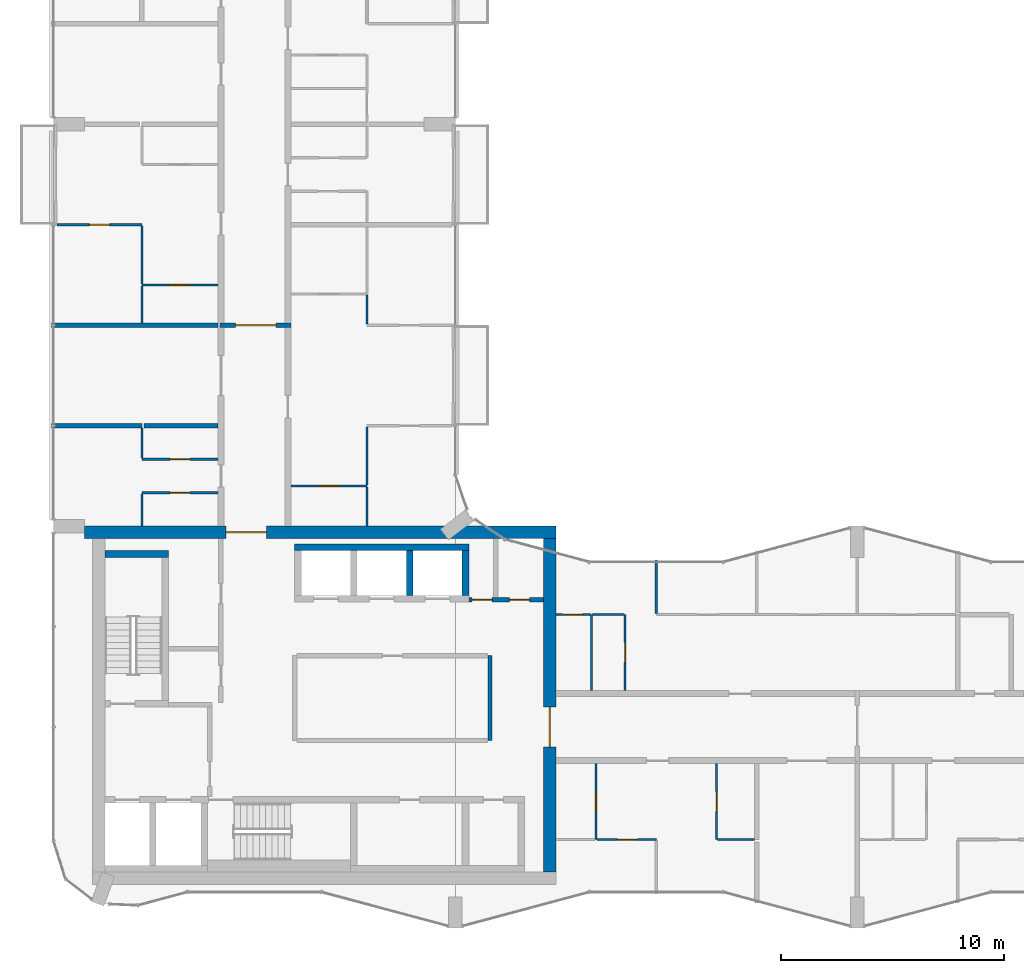
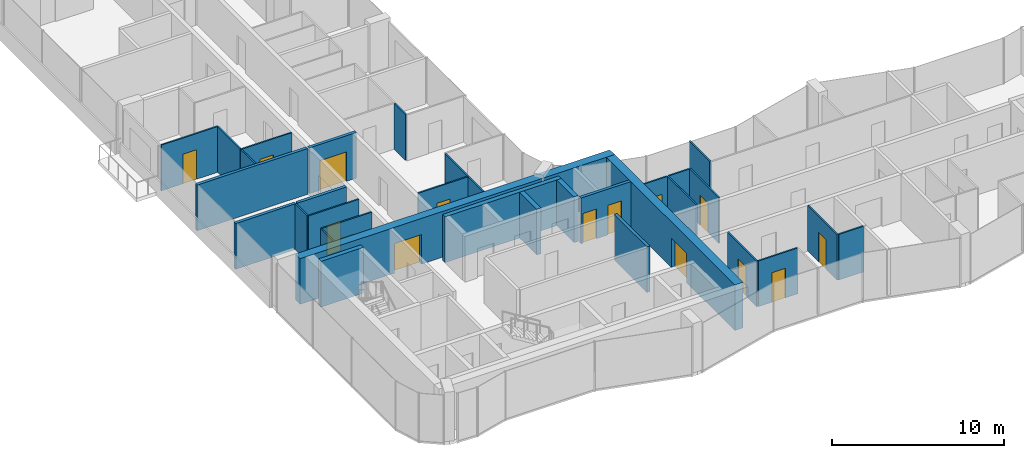
# One storey, part 10 of 15: 33 walls, 15 doors, 15 openings.
"""IFC4 building model written with IfcOpenShell, lengths in metres."""

from ifc_helpers import new_model, si_unit, direction, frame, frame_2d, origin, place, context, subcontext, project, spatial, rectangle, extrude, material, layer, layer_set, type_object, element, fill, save


model = new_model("IFC4")

# Units and contexts
model_context = context("Model", 3, precision=1e-05, world=origin(), true_north=direction((0.0, 1.0)))
body_context = subcontext(model_context, "Body", "Model", "MODEL_VIEW")
ifc_project = project(units=[si_unit("LENGTHUNIT", "METRE"), si_unit("AREAUNIT", "SQUARE_METRE"), si_unit("VOLUMEUNIT", "CUBIC_METRE"), si_unit("PLANEANGLEUNIT", "RADIAN"), si_unit("MASSUNIT", "GRAM", prefix="KILO")], contexts=[model_context])

# Site, building, storey
site_placement = place(None, origin())
site = spatial("IfcSite", under=ifc_project, at=site_placement, CompositionType="ELEMENT")
building_placement = place(site_placement, origin())
building = spatial("IfcBuilding", under=site, at=building_placement, Name="Plateau Cross Towers", CompositionType="ELEMENT")
storey_placement = place(building_placement, frame((0.0, 0.0, 208.39990234375)))
storey = spatial("IfcBuildingStorey", under=building, at=storey_placement, Name="L54", CompositionType="ELEMENT", Elevation=208.39990234375)

# Wall
ifc_material_1 = material(Name="Concrete block, plastered both sides", Category="concrete")
ifc_layer_1 = layer(ifc_material_1, 0.199951171875)
ifc_layer_set_1 = layer_set([ifc_layer_1], Name="Concrete block, plastered both sides")
wall_type_1 = type_object("IfcWallType", Name="Core partition 200", PredefinedType="PARTITIONING", material=ifc_layer_set_1)
wall_1_placement = place(storey_placement, frame((19.550048828125, 8.39990234375, 0.0), z_axis=(0.0, 0.0, 1.0), x_axis=(0.0, 1.0, 0.0)))
element("IfcWall", 1, at=wall_1_placement, inside=storey, type_object=wall_type_1, Name="Core partition", PredefinedType="PARTITIONING", context=body_context, shape_type="SweptSolid", body=[
    extrude(rectangle(XDim=3.800048828125, YDim=0.199951171875, at=frame_2d((1.89990234375, 0.0))), origin(), (0.0, 0.0, 1.0), 3.25),
])

# Wall, openings, doors
wall_2_placement = place(storey_placement, frame((18.60009765625, 14.699951171875, 0.0), z_axis=(0.0, 0.0, 1.0), x_axis=(1.0, 0.0, 0.0)))
wall_2 = element("IfcWall", 2, at=wall_2_placement, inside=storey, type_object=wall_type_1, Name="Core partition", PredefinedType="PARTITIONING", context=body_context, shape_type="SweptSolid", body=[
    extrude(rectangle(XDim=3.349853515625, YDim=0.199951171875, at=frame_2d((1.6748046875, 0.0))), origin(), (0.0, 0.0, 1.0), 3.25),
])
opening_1_placement = place(wall_2_placement, frame((0.14990234375, 0.0, 0.0)))
opening_1 = element("IfcOpeningElement", 3, at=opening_1_placement, cuts=wall_2, Name="Opening RD2", PredefinedType="OPENING", context=body_context, shape_type="SweptSolid", body=[
    extrude(rectangle(XDim=0.89990234375, YDim=2.10009765625, at=frame_2d((0.449951171875, 1.050048828125))), frame((0.0, 0.10986328125, 0.0), z_axis=(0.0, -1.0, 0.0), x_axis=(1.0, 0.0, 0.0)), (0.0, 0.0, 1.0), 0.219970703125),
])
opening_2_placement = place(wall_2_placement, frame((1.824951171875, 0.0, 0.0)))
opening_2 = element("IfcOpeningElement", 4, at=opening_2_placement, cuts=wall_2, Name="Opening RD2", PredefinedType="OPENING", context=body_context, shape_type="SweptSolid", body=[
    extrude(rectangle(XDim=0.89990234375, YDim=2.10009765625, at=frame_2d((0.449951171875, 1.050048828125))), frame((0.0, 0.10986328125, 0.0), z_axis=(0.0, -1.0, 0.0), x_axis=(1.0, 0.0, 0.0)), (0.0, 0.0, 1.0), 0.219970703125),
])
ifc_material_2 = material(Name="Steel, fire-resisting leaf", Category="steel")
door_type_1 = type_object("IfcDoorType", Name="Core riser door 900", OperationType="NOTDEFINED", PredefinedType="DOOR", material=ifc_material_2)
door_1_placement = place(opening_1_placement, origin())
door_1 = element("IfcDoor", 5, at=door_1_placement, inside=storey, type_object=door_type_1, Name="Core riser door RD2", OperationType="SINGLE_SWING_LEFT", OverallHeight=2.10009765625, OverallWidth=0.89990234375, PredefinedType="DOOR", context=body_context, shape_type="SweptSolid", body=[
    extrude(rectangle(XDim=0.89990234375, YDim=2.10009765625, at=frame_2d((0.449951171875, 1.050048828125))), frame((0.0, 0.02490234375, 0.0), z_axis=(0.0, -1.0, 0.0), x_axis=(1.0, 0.0, 0.0)), (0.0, 0.0, 1.0), 0.050048828125),
])
fill(opening_1, door_1)
door_2_placement = place(opening_2_placement, origin())
door_2 = element("IfcDoor", 6, at=door_2_placement, inside=storey, type_object=door_type_1, Name="Core riser door RD2", OperationType="SINGLE_SWING_LEFT", OverallHeight=2.10009765625, OverallWidth=0.89990234375, PredefinedType="DOOR", context=body_context, shape_type="SweptSolid", body=[
    extrude(rectangle(XDim=0.89990234375, YDim=2.10009765625, at=frame_2d((0.449951171875, 1.050048828125))), frame((0.0, 0.02490234375, 0.0), z_axis=(0.0, -1.0, 0.0), x_axis=(1.0, 0.0, 0.0)), (0.0, 0.0, 1.0), 0.050048828125),
])
fill(opening_2, door_2)

# Walls
ifc_material_3 = material(Name="Concrete C60/75", Category="concrete")
ifc_layer_2 = layer(ifc_material_3, 0.300048828125)
ifc_layer_set_2 = layer_set([ifc_layer_2], Name="Concrete C60/75")
wall_type_2 = type_object("IfcWallType", Name="Core shaft wall 300", PredefinedType="SHEAR", material=ifc_layer_set_2)
wall_3_placement = place(storey_placement, frame((2.300048828125, 16.75, 0.0), z_axis=(0.0, 0.0, 1.0), x_axis=(1.0, 0.0, 0.0)))
element("IfcWall", 7, at=wall_3_placement, inside=storey, type_object=wall_type_2, Name="A-st1-N@L54", PredefinedType="SHEAR", context=body_context, shape_type="SweptSolid", body=[
    extrude(rectangle(XDim=2.849853515625, YDim=0.300048828125, at=frame_2d((1.4248046875, 0.0))), origin(), (0.0, 0.0, 1.0), 3.25),
])
wall_4_placement = place(storey_placement, frame((10.800048828125, 17.050048828125, 0.0), z_axis=(0.0, 0.0, 1.0), x_axis=(1.0, 0.0, 0.0)))
element("IfcWall", 8, at=wall_4_placement, inside=storey, type_object=wall_type_2, Name="A-nb-back@L54", PredefinedType="SHEAR", context=body_context, shape_type="SweptSolid", body=[
    extrude(rectangle(XDim=7.800048828125, YDim=0.300048828125, at=frame_2d((3.89990234375, 0.0))), origin(), (0.0, 0.0, 1.0), 3.25),
])
for number, where, z_axis, x_axis, name in (
    (9, (15.949951171875, 14.89990234375, 0.0), (0.0, 0.0, 1.0), (0.0, 1.0, 0.0), "A-nb-v3@L54"),
    (10, (18.449951171875, 14.89990234375, 0.0), (0.0, 0.0, 1.0), (0.0, 1.0, 0.0), "A-nb-v4@L54"),
):
    element("IfcWall", number, at=place(storey_placement, frame(where, z_axis=z_axis, x_axis=x_axis)), inside=storey, type_object=wall_type_2, Name=name, PredefinedType="SHEAR", context=body_context, shape_type="SweptSolid", body=[
        extrude(rectangle(XDim=2.0, YDim=0.300048828125, at=frame_2d((1.0, 0.0))), origin(), (0.0, 0.0, 1.0), 3.25),
    ])

# Wall, opening, door
ifc_layer_3 = layer(ifc_material_3, 0.550048828125)
ifc_layer_set_3 = layer_set([ifc_layer_3], Name="Concrete C60/75")
wall_type_3 = type_object("IfcWallType", Name="Core shell wall 550", PredefinedType="SHEAR", material=ifc_layer_set_3)
wall_5_placement = place(storey_placement, frame((1.3798828125, 17.72509765625, 0.0), z_axis=(0.0, 0.0, 1.0), x_axis=(1.0, 0.0, 0.0)))
wall_5 = element("IfcWall", 11, at=wall_5_placement, inside=storey, type_object=wall_type_3, Name="A-core-N@L54", PredefinedType="SHEAR", context=body_context, shape_type="SweptSolid", body=[
    extrude(rectangle(XDim=21.1201171875, YDim=0.550048828125, at=frame_2d((10.56005859375, 0.0))), origin(), (0.0, 0.0, 1.0), 3.25),
])
opening_3_placement = place(wall_5_placement, frame((6.35009765625, 0.0, 0.0)))
opening_3 = element("IfcOpeningElement", 12, at=opening_3_placement, cuts=wall_5, Name="Opening CD", PredefinedType="OPENING", context=body_context, shape_type="SweptSolid", body=[
    extrude(rectangle(XDim=1.800048828125, YDim=2.10009765625, at=frame_2d((0.89990234375, 1.050048828125))), frame((0.0, 0.284912109375, 0.0), z_axis=(0.0, -1.0, 0.0), x_axis=(1.0, 0.0, 0.0)), (0.0, 0.0, 1.0), 0.570068359375),
])
ifc_material_4 = material(Name="Steel, fire-resisting leaves", Category="steel")
door_type_2 = type_object("IfcDoorType", Name="Corridor door pair 1800", OperationType="NOTDEFINED", PredefinedType="DOOR", material=ifc_material_4)
door_3_placement = place(opening_3_placement, origin())
door_3 = element("IfcDoor", 13, at=door_3_placement, inside=storey, type_object=door_type_2, Name="Corridor door pair CD", OperationType="DOUBLE_DOOR_SINGLE_SWING", OverallHeight=2.10009765625, OverallWidth=1.800048828125, PredefinedType="DOOR", context=body_context, shape_type="SweptSolid", body=[
    extrude(rectangle(XDim=1.800048828125, YDim=2.10009765625, at=frame_2d((0.89990234375, 1.050048828125))), frame((0.0, 0.02490234375, 0.0), z_axis=(0.0, -1.0, 0.0), x_axis=(1.0, 0.0, 0.0)), (0.0, 0.0, 1.0), 0.050048828125),
])
fill(opening_3, door_3)

wall_6_placement = place(storey_placement, frame((22.22509765625, 2.5, 0.0), z_axis=(0.0, 0.0, 1.0), x_axis=(0.0, 1.0, 0.0)))
wall_6 = element("IfcWall", 14, at=wall_6_placement, inside=storey, type_object=wall_type_3, Name="A-core-E@L54", PredefinedType="SHEAR", context=body_context, shape_type="SweptSolid", body=[
    extrude(rectangle(XDim=14.949951171875, YDim=0.550048828125, at=frame_2d((7.47509765625, 0.0))), origin(), (0.0, 0.0, 1.0), 3.25),
])
opening_4_placement = place(wall_6_placement, frame((5.60009765625, 0.0, 0.0)))
opening_4 = element("IfcOpeningElement", 15, at=opening_4_placement, cuts=wall_6, Name="Opening CD", PredefinedType="OPENING", context=body_context, shape_type="SweptSolid", body=[
    extrude(rectangle(XDim=1.800048828125, YDim=2.10009765625, at=frame_2d((0.89990234375, 1.050048828125))), frame((0.0, 0.284912109375, 0.0), z_axis=(0.0, -1.0, 0.0), x_axis=(1.0, 0.0, 0.0)), (0.0, 0.0, 1.0), 0.570068359375),
])
door_4_placement = place(opening_4_placement, origin())
door_4 = element("IfcDoor", 16, at=door_4_placement, inside=storey, type_object=door_type_2, Name="Corridor door pair CD", OperationType="DOUBLE_DOOR_SINGLE_SWING", OverallHeight=2.10009765625, OverallWidth=1.800048828125, PredefinedType="DOOR", context=body_context, shape_type="SweptSolid", body=[
    extrude(rectangle(XDim=1.800048828125, YDim=2.10009765625, at=frame_2d((0.89990234375, 1.050048828125))), frame((0.0, 0.02490234375, 0.0), z_axis=(0.0, -1.0, 0.0), x_axis=(1.0, 0.0, 0.0)), (0.0, 0.0, 1.0), 0.050048828125),
])
fill(opening_4, door_4)

ifc_material_5 = material(Name="Gypsum board on steel studs", Category="steel")
ifc_layer_4 = layer(ifc_material_5, 0.10009765625)
ifc_layer_set_4 = layer_set([ifc_layer_4], Name="Gypsum board on steel studs")
wall_type_4 = type_object("IfcWallType", Name="Flat partition 100", PredefinedType="PARTITIONING", material=ifc_layer_set_4)
wall_7_placement = place(storey_placement, frame((27.0, 3.96240234375, 0.0), z_axis=(0.0, 0.0, 1.0), x_axis=(-1.0, 0.0, 0.0)))
wall_7 = element("IfcWall", 17, at=wall_7_placement, inside=storey, type_object=wall_type_4, Name="Partition wall", PredefinedType="PARTITIONING", context=body_context, shape_type="SweptSolid", body=[
    extrude(rectangle(XDim=2.64990234375, YDim=0.10009765625, at=frame_2d((1.324951171875, 0.0))), origin(), (0.0, 0.0, 1.0), 3.25),
])
opening_5_placement = place(wall_7_placement, frame((0.85009765625, 0.0, 0.0)))
opening_5 = element("IfcOpeningElement", 18, at=opening_5_placement, cuts=wall_7, Name="Opening 54-22", PredefinedType="OPENING", context=body_context, shape_type="SweptSolid", body=[
    extrude(rectangle(XDim=0.89990234375, YDim=2.10009765625, at=frame_2d((0.449951171875, 1.050048828125))), frame((0.0, 0.06005859375, 0.0), z_axis=(0.0, -1.0, 0.0), x_axis=(1.0, 0.0, 0.0)), (0.0, 0.0, 1.0), 0.1201171875),
])
ifc_material_6 = material(Name="Timber leaf", Category="wood")
door_type_3 = type_object("IfcDoorType", Name="Flat room door 900", OperationType="NOTDEFINED", PredefinedType="DOOR", material=ifc_material_6)
door_5_placement = place(opening_5_placement, origin())
door_5 = element("IfcDoor", 19, at=door_5_placement, inside=storey, type_object=door_type_3, Name="Door 54-22", OperationType="SINGLE_SWING_LEFT", OverallHeight=2.10009765625, OverallWidth=0.89990234375, PredefinedType="DOOR", context=body_context, shape_type="SweptSolid", body=[
    extrude(rectangle(XDim=0.89990234375, YDim=2.10009765625, at=frame_2d((0.449951171875, 1.050048828125))), frame((0.0, 0.02490234375, 0.0), z_axis=(0.0, -1.0, 0.0), x_axis=(1.0, 0.0, 0.0)), (0.0, 0.0, 1.0), 0.050048828125),
])
fill(opening_5, door_5)

# Wall
wall_8_placement = place(storey_placement, frame((29.75, 3.96240234375, 0.0), z_axis=(0.0, 0.0, 1.0), x_axis=(1.0, 0.0, 0.0)))
element("IfcWall", 20, at=wall_8_placement, inside=storey, type_object=wall_type_4, Name="Partition wall", PredefinedType="PARTITIONING", context=body_context, shape_type="SweptSolid", body=[
    extrude(rectangle(XDim=1.64990234375, YDim=0.10009765625, at=frame_2d((0.824951171875, 0.0))), origin(), (0.0, 0.0, 1.0), 3.25),
])

# Wall, opening, door
wall_9_placement = place(storey_placement, frame((24.050048828125, 14.03759765625, 0.0), z_axis=(0.0, 0.0, 1.0), x_axis=(-1.0, 0.0, 0.0)))
wall_9 = element("IfcWall", 21, at=wall_9_placement, inside=storey, type_object=wall_type_4, Name="Partition wall", PredefinedType="PARTITIONING", context=body_context, shape_type="SweptSolid", body=[
    extrude(rectangle(XDim=1.550048828125, YDim=0.10009765625, at=frame_2d((0.77490234375, 0.0))), origin(), (0.0, 0.0, 1.0), 3.25),
])
opening_6_placement = place(wall_9_placement, frame((0.35009765625, 0.0, 0.0)))
opening_6 = element("IfcOpeningElement", 22, at=opening_6_placement, cuts=wall_9, Name="Opening 54-28", PredefinedType="OPENING", context=body_context, shape_type="SweptSolid", body=[
    extrude(rectangle(XDim=0.89990234375, YDim=2.10009765625, at=frame_2d((0.449951171875, 1.050048828125))), frame((0.0, 0.06005859375, 0.0), z_axis=(0.0, -1.0, 0.0), x_axis=(1.0, 0.0, 0.0)), (0.0, 0.0, 1.0), 0.1201171875),
])
door_6_placement = place(opening_6_placement, origin())
door_6 = element("IfcDoor", 23, at=door_6_placement, inside=storey, type_object=door_type_3, Name="Door 54-28", OperationType="SINGLE_SWING_RIGHT", OverallHeight=2.10009765625, OverallWidth=0.89990234375, PredefinedType="DOOR", context=body_context, shape_type="SweptSolid", body=[
    extrude(rectangle(XDim=0.89990234375, YDim=2.10009765625, at=frame_2d((0.449951171875, 1.050048828125))), frame((0.0, 0.02490234375, 0.0), z_axis=(0.0, -1.0, 0.0), x_axis=(1.0, 0.0, 0.0)), (0.0, 0.0, 1.0), 0.050048828125),
])
fill(opening_6, door_6)

# Wall
wall_10_placement = place(storey_placement, frame((25.550048828125, 14.03759765625, 0.0), z_axis=(0.0, 0.0, 1.0), x_axis=(-1.0, 0.0, 0.0)))
element("IfcWall", 24, at=wall_10_placement, inside=storey, type_object=wall_type_4, Name="Partition wall", PredefinedType="PARTITIONING", context=body_context, shape_type="SweptSolid", body=[
    extrude(rectangle(XDim=1.400146484375, YDim=0.10009765625, at=frame_2d((0.7001953125, 0.0))), origin(), (0.0, 0.0, 1.0), 3.25),
])

# Wall, opening, door
wall_11_placement = place(storey_placement, frame((7.362548828125, 19.5, 0.0), z_axis=(0.0, 0.0, 1.0), x_axis=(-1.0, 0.0, 0.0)))
wall_11 = element("IfcWall", 25, at=wall_11_placement, inside=storey, type_object=wall_type_4, Name="Partition wall", PredefinedType="PARTITIONING", context=body_context, shape_type="SweptSolid", body=[
    extrude(rectangle(XDim=3.400146484375, YDim=0.10009765625, at=frame_2d((1.7001953125, 0.0))), origin(), (0.0, 0.0, 1.0), 3.25),
])
opening_7_placement = place(wall_11_placement, frame((1.25, 0.0, 0.0)))
opening_7 = element("IfcOpeningElement", 26, at=opening_7_placement, cuts=wall_11, Name="Opening 54-33", PredefinedType="OPENING", context=body_context, shape_type="SweptSolid", body=[
    extrude(rectangle(XDim=0.89990234375, YDim=2.10009765625, at=frame_2d((0.449951171875, 1.050048828125))), frame((0.0, 0.06005859375, 0.0), z_axis=(0.0, -1.0, 0.0), x_axis=(1.0, 0.0, 0.0)), (0.0, 0.0, 1.0), 0.1201171875),
])
door_7_placement = place(opening_7_placement, origin())
door_7 = element("IfcDoor", 27, at=door_7_placement, inside=storey, type_object=door_type_3, Name="Door 54-33", OperationType="SINGLE_SWING_LEFT", OverallHeight=2.10009765625, OverallWidth=0.89990234375, PredefinedType="DOOR", context=body_context, shape_type="SweptSolid", body=[
    extrude(rectangle(XDim=0.89990234375, YDim=2.10009765625, at=frame_2d((0.449951171875, 1.050048828125))), frame((0.0, 0.02490234375, 0.0), z_axis=(0.0, -1.0, 0.0), x_axis=(1.0, 0.0, 0.0)), (0.0, 0.0, 1.0), 0.050048828125),
])
fill(opening_7, door_7)

wall_12_placement = place(storey_placement, frame((14.03759765625, 19.800048828125, 0.0), z_axis=(0.0, 0.0, 1.0), x_axis=(-1.0, 0.0, 0.0)))
wall_12 = element("IfcWall", 28, at=wall_12_placement, inside=storey, type_object=wall_type_4, Name="Partition wall", PredefinedType="PARTITIONING", context=body_context, shape_type="SweptSolid", body=[
    extrude(rectangle(XDim=3.400146484375, YDim=0.10009765625, at=frame_2d((1.7001953125, 0.0))), origin(), (0.0, 0.0, 1.0), 3.25),
])
opening_8_placement = place(wall_12_placement, frame((1.25, 0.0, 0.0)))
opening_8 = element("IfcOpeningElement", 29, at=opening_8_placement, cuts=wall_12, Name="Opening 54-38", PredefinedType="OPENING", context=body_context, shape_type="SweptSolid", body=[
    extrude(rectangle(XDim=0.89990234375, YDim=2.10009765625, at=frame_2d((0.449951171875, 1.050048828125))), frame((0.0, 0.06005859375, 0.0), z_axis=(0.0, -1.0, 0.0), x_axis=(1.0, 0.0, 0.0)), (0.0, 0.0, 1.0), 0.1201171875),
])
door_8_placement = place(opening_8_placement, origin())
door_8 = element("IfcDoor", 30, at=door_8_placement, inside=storey, type_object=door_type_3, Name="Door 54-38", OperationType="SINGLE_SWING_LEFT", OverallHeight=2.10009765625, OverallWidth=0.89990234375, PredefinedType="DOOR", context=body_context, shape_type="SweptSolid", body=[
    extrude(rectangle(XDim=0.89990234375, YDim=2.10009765625, at=frame_2d((0.449951171875, 1.050048828125))), frame((0.0, 0.02490234375, 0.0), z_axis=(0.0, -1.0, 0.0), x_axis=(1.0, 0.0, 0.0)), (0.0, 0.0, 1.0), 0.050048828125),
])
fill(opening_8, door_8)

wall_13_placement = place(storey_placement, frame((3.96240234375, 21.0, 0.0), z_axis=(0.0, 0.0, 1.0), x_axis=(1.0, 0.0, 0.0)))
wall_13 = element("IfcWall", 31, at=wall_13_placement, inside=storey, type_object=wall_type_4, Name="Partition wall", PredefinedType="PARTITIONING", context=body_context, shape_type="SweptSolid", body=[
    extrude(rectangle(XDim=3.400146484375, YDim=0.10009765625, at=frame_2d((1.7001953125, 0.0))), origin(), (0.0, 0.0, 1.0), 3.25),
])
opening_9_placement = place(wall_13_placement, frame((1.25, 0.0, 0.0)))
opening_9 = element("IfcOpeningElement", 32, at=opening_9_placement, cuts=wall_13, Name="Opening 54-34", PredefinedType="OPENING", context=body_context, shape_type="SweptSolid", body=[
    extrude(rectangle(XDim=0.89990234375, YDim=2.10009765625, at=frame_2d((0.449951171875, 1.050048828125))), frame((0.0, 0.06005859375, 0.0), z_axis=(0.0, -1.0, 0.0), x_axis=(1.0, 0.0, 0.0)), (0.0, 0.0, 1.0), 0.1201171875),
])
door_9_placement = place(opening_9_placement, origin())
door_9 = element("IfcDoor", 33, at=door_9_placement, inside=storey, type_object=door_type_3, Name="Door 54-34", OperationType="SINGLE_SWING_LEFT", OverallHeight=2.10009765625, OverallWidth=0.89990234375, PredefinedType="DOOR", context=body_context, shape_type="SweptSolid", body=[
    extrude(rectangle(XDim=0.89990234375, YDim=2.10009765625, at=frame_2d((0.449951171875, 1.050048828125))), frame((0.0, 0.02490234375, 0.0), z_axis=(0.0, -1.0, 0.0), x_axis=(1.0, 0.0, 0.0)), (0.0, 0.0, 1.0), 0.050048828125),
])
fill(opening_9, door_9)

wall_14_placement = place(storey_placement, frame((7.362548828125, 28.800048828125, 0.0), z_axis=(0.0, 0.0, 1.0), x_axis=(-1.0, 0.0, 0.0)))
wall_14 = element("IfcWall", 34, at=wall_14_placement, inside=storey, type_object=wall_type_4, Name="Partition wall", PredefinedType="PARTITIONING", context=body_context, shape_type="SweptSolid", body=[
    extrude(rectangle(XDim=3.400146484375, YDim=0.10009765625, at=frame_2d((1.7001953125, 0.0))), origin(), (0.0, 0.0, 1.0), 3.25),
])
opening_10_placement = place(wall_14_placement, frame((1.25, 0.0, 0.0)))
opening_10 = element("IfcOpeningElement", 35, at=opening_10_placement, cuts=wall_14, Name="Opening 54-35", PredefinedType="OPENING", context=body_context, shape_type="SweptSolid", body=[
    extrude(rectangle(XDim=0.89990234375, YDim=2.10009765625, at=frame_2d((0.449951171875, 1.050048828125))), frame((0.0, 0.06005859375, 0.0), z_axis=(0.0, -1.0, 0.0), x_axis=(1.0, 0.0, 0.0)), (0.0, 0.0, 1.0), 0.1201171875),
])
door_10_placement = place(opening_10_placement, origin())
door_10 = element("IfcDoor", 36, at=door_10_placement, inside=storey, type_object=door_type_3, Name="Door 54-35", OperationType="SINGLE_SWING_LEFT", OverallHeight=2.10009765625, OverallWidth=0.89990234375, PredefinedType="DOOR", context=body_context, shape_type="SweptSolid", body=[
    extrude(rectangle(XDim=0.89990234375, YDim=2.10009765625, at=frame_2d((0.449951171875, 1.050048828125))), frame((0.0, 0.02490234375, 0.0), z_axis=(0.0, -1.0, 0.0), x_axis=(1.0, 0.0, 0.0)), (0.0, 0.0, 1.0), 0.050048828125),
])
fill(opening_10, door_10)

wall_15_placement = place(storey_placement, frame((3.96240234375, 31.5, 0.0), z_axis=(0.0, 0.0, 1.0), x_axis=(-1.0, 0.0, 0.0)))
wall_15 = element("IfcWall", 37, at=wall_15_placement, inside=storey, type_object=wall_type_4, Name="Partition wall", PredefinedType="PARTITIONING", context=body_context, shape_type="SweptSolid", body=[
    extrude(rectangle(XDim=3.8125, YDim=0.10009765625, at=frame_2d((1.90625, 0.0))), origin(), (0.0, 0.0, 1.0), 3.25),
])
opening_11_placement = place(wall_15_placement, frame((1.449951171875, 0.0, 0.0)))
opening_11 = element("IfcOpeningElement", 38, at=opening_11_placement, cuts=wall_15, Name="Opening 54-37", PredefinedType="OPENING", context=body_context, shape_type="SweptSolid", body=[
    extrude(rectangle(XDim=0.89990234375, YDim=2.10009765625, at=frame_2d((0.449951171875, 1.050048828125))), frame((0.0, 0.06005859375, 0.0), z_axis=(0.0, -1.0, 0.0), x_axis=(1.0, 0.0, 0.0)), (0.0, 0.0, 1.0), 0.1201171875),
])
door_11_placement = place(opening_11_placement, origin())
door_11 = element("IfcDoor", 39, at=door_11_placement, inside=storey, type_object=door_type_3, Name="Door 54-37", OperationType="SINGLE_SWING_LEFT", OverallHeight=2.10009765625, OverallWidth=0.89990234375, PredefinedType="DOOR", context=body_context, shape_type="SweptSolid", body=[
    extrude(rectangle(XDim=0.89990234375, YDim=2.10009765625, at=frame_2d((0.449951171875, 1.050048828125))), frame((0.0, 0.02490234375, 0.0), z_axis=(0.0, -1.0, 0.0), x_axis=(1.0, 0.0, 0.0)), (0.0, 0.0, 1.0), 0.050048828125),
])
fill(opening_11, door_11)

# Walls
wall_16_placement = place(storey_placement, frame((3.96240234375, 19.449951171875, 0.0), z_axis=(0.0, 0.0, 1.0), x_axis=(0.0, -1.0, 0.0)))
element("IfcWall", 40, at=wall_16_placement, inside=storey, type_object=wall_type_4, Name="Partition wall", PredefinedType="PARTITIONING", context=body_context, shape_type="SweptSolid", body=[
    extrude(rectangle(XDim=1.449951171875, YDim=0.10009765625, at=frame_2d((0.72509765625, 0.0))), origin(), (0.0, 0.0, 1.0), 3.25),
])
wall_17_placement = place(storey_placement, frame((3.96240234375, 22.39990234375, 0.0), z_axis=(0.0, 0.0, 1.0), x_axis=(0.0, -1.0, 0.0)))
element("IfcWall", 41, at=wall_17_placement, inside=storey, type_object=wall_type_4, Name="Partition wall", PredefinedType="PARTITIONING", context=body_context, shape_type="SweptSolid", body=[
    extrude(rectangle(XDim=1.349853515625, YDim=0.10009765625, at=frame_2d((0.6748046875, 0.0))), origin(), (0.0, 0.0, 1.0), 3.25),
])
wall_18_placement = place(storey_placement, frame((3.96240234375, 28.75, 0.0), z_axis=(0.0, 0.0, 1.0), x_axis=(0.0, -1.0, 0.0)))
element("IfcWall", 42, at=wall_18_placement, inside=storey, type_object=wall_type_4, Name="Partition wall", PredefinedType="PARTITIONING", context=body_context, shape_type="SweptSolid", body=[
    extrude(rectangle(XDim=1.64990234375, YDim=0.10009765625, at=frame_2d((0.824951171875, 0.0))), origin(), (0.0, 0.0, 1.0), 3.25),
])
for number, where, z_axis, x_axis, name in (
    (43, (3.96240234375, 28.85009765625, 0.0), (0.0, 0.0, 1.0), (0.0, 1.0, 0.0), "Partition wall"),
    (44, (14.03759765625, 22.449951171875, 0.0), (0.0, 0.0, 1.0), (0.0, -1.0, 0.0), "Partition wall"),
):
    element("IfcWall", number, at=place(storey_placement, frame(where, z_axis=z_axis, x_axis=x_axis)), inside=storey, type_object=wall_type_4, Name=name, PredefinedType="PARTITIONING", context=body_context, shape_type="SweptSolid", body=[
        extrude(rectangle(XDim=2.599853515625, YDim=0.10009765625, at=frame_2d((1.2998046875, 0.0))), origin(), (0.0, 0.0, 1.0), 3.25),
    ])
wall_19_placement = place(storey_placement, frame((14.03759765625, 28.35009765625, 0.0), z_axis=(0.0, 0.0, 1.0), x_axis=(0.0, -1.0, 0.0)))
element("IfcWall", 45, at=wall_19_placement, inside=storey, type_object=wall_type_4, Name="Partition wall", PredefinedType="PARTITIONING", context=body_context, shape_type="SweptSolid", body=[
    extrude(rectangle(XDim=1.300048828125, YDim=0.10009765625, at=frame_2d((0.64990234375, 0.0))), origin(), (0.0, 0.0, 1.0), 3.25),
])
wall_20_placement = place(storey_placement, frame((14.03759765625, 18.0, 0.0), z_axis=(0.0, 0.0, 1.0), x_axis=(0.0, 1.0, 0.0)))
element("IfcWall", 46, at=wall_20_placement, inside=storey, type_object=wall_type_4, Name="Partition wall", PredefinedType="PARTITIONING", context=body_context, shape_type="SweptSolid", body=[
    extrude(rectangle(XDim=1.75, YDim=0.10009765625, at=frame_2d((0.875, 0.0))), origin(), (0.0, 0.0, 1.0), 3.25),
])
wall_21_placement = place(storey_placement, frame((24.10009765625, 10.637451171875, 0.0), z_axis=(0.0, 0.0, 1.0), x_axis=(0.0, 1.0, 0.0)))
element("IfcWall", 47, at=wall_21_placement, inside=storey, type_object=wall_type_4, Name="Partition wall", PredefinedType="PARTITIONING", context=body_context, shape_type="SweptSolid", body=[
    extrude(rectangle(XDim=3.400146484375, YDim=0.10009765625, at=frame_2d((1.7001953125, 0.0))), origin(), (0.0, 0.0, 1.0), 3.25),
])

# Wall, opening, door
wall_22_placement = place(storey_placement, frame((24.300048828125, 3.96240234375, 0.0), z_axis=(0.0, 0.0, 1.0), x_axis=(0.0, 1.0, 0.0)))
wall_22 = element("IfcWall", 48, at=wall_22_placement, inside=storey, type_object=wall_type_4, Name="Partition wall", PredefinedType="PARTITIONING", context=body_context, shape_type="SweptSolid", body=[
    extrude(rectangle(XDim=3.400146484375, YDim=0.10009765625, at=frame_2d((1.7001953125, 0.0))), origin(), (0.0, 0.0, 1.0), 3.25),
])
opening_12_placement = place(wall_22_placement, frame((1.25, 0.0, 0.0)))
opening_12 = element("IfcOpeningElement", 49, at=opening_12_placement, cuts=wall_22, Name="Opening 54-20", PredefinedType="OPENING", context=body_context, shape_type="SweptSolid", body=[
    extrude(rectangle(XDim=0.89990234375, YDim=2.10009765625, at=frame_2d((0.449951171875, 1.050048828125))), frame((0.0, 0.06005859375, 0.0), z_axis=(0.0, -1.0, 0.0), x_axis=(1.0, 0.0, 0.0)), (0.0, 0.0, 1.0), 0.1201171875),
])
door_12_placement = place(opening_12_placement, origin())
door_12 = element("IfcDoor", 50, at=door_12_placement, inside=storey, type_object=door_type_3, Name="Door 54-20", OperationType="SINGLE_SWING_LEFT", OverallHeight=2.10009765625, OverallWidth=0.89990234375, PredefinedType="DOOR", context=body_context, shape_type="SweptSolid", body=[
    extrude(rectangle(XDim=0.89990234375, YDim=2.10009765625, at=frame_2d((0.449951171875, 1.050048828125))), frame((0.0, 0.02490234375, 0.0), z_axis=(0.0, -1.0, 0.0), x_axis=(1.0, 0.0, 0.0)), (0.0, 0.0, 1.0), 0.050048828125),
])
fill(opening_12, door_12)

wall_23_placement = place(storey_placement, frame((25.60009765625, 10.637451171875, 0.0), z_axis=(0.0, 0.0, 1.0), x_axis=(0.0, 1.0, 0.0)))
wall_23 = element("IfcWall", 51, at=wall_23_placement, inside=storey, type_object=wall_type_4, Name="Partition wall", PredefinedType="PARTITIONING", context=body_context, shape_type="SweptSolid", body=[
    extrude(rectangle(XDim=3.400146484375, YDim=0.10009765625, at=frame_2d((1.7001953125, 0.0))), origin(), (0.0, 0.0, 1.0), 3.25),
])
opening_13_placement = place(wall_23_placement, frame((1.25, 0.0, 0.0)))
opening_13 = element("IfcOpeningElement", 52, at=opening_13_placement, cuts=wall_23, Name="Opening 54-29", PredefinedType="OPENING", context=body_context, shape_type="SweptSolid", body=[
    extrude(rectangle(XDim=0.89990234375, YDim=2.10009765625, at=frame_2d((0.449951171875, 1.050048828125))), frame((0.0, 0.06005859375, 0.0), z_axis=(0.0, -1.0, 0.0), x_axis=(1.0, 0.0, 0.0)), (0.0, 0.0, 1.0), 0.1201171875),
])
door_13_placement = place(opening_13_placement, origin())
door_13 = element("IfcDoor", 53, at=door_13_placement, inside=storey, type_object=door_type_3, Name="Door 54-29", OperationType="SINGLE_SWING_LEFT", OverallHeight=2.10009765625, OverallWidth=0.89990234375, PredefinedType="DOOR", context=body_context, shape_type="SweptSolid", body=[
    extrude(rectangle(XDim=0.89990234375, YDim=2.10009765625, at=frame_2d((0.449951171875, 1.050048828125))), frame((0.0, 0.02490234375, 0.0), z_axis=(0.0, -1.0, 0.0), x_axis=(1.0, 0.0, 0.0)), (0.0, 0.0, 1.0), 0.050048828125),
])
fill(opening_13, door_13)

# Wall
wall_24_placement = place(storey_placement, frame((27.0, 16.47314453125, 0.0), z_axis=(0.0, 0.0, 1.0), x_axis=(0.0, -1.0, 0.0)))
element("IfcWall", 54, at=wall_24_placement, inside=storey, type_object=wall_type_4, Name="Partition wall", PredefinedType="PARTITIONING", context=body_context, shape_type="SweptSolid", body=[
    extrude(rectangle(XDim=2.3857421875, YDim=0.10009765625, at=frame_2d((1.19287109375, 0.0))), origin(), (0.0, 0.0, 1.0), 3.25),
])

# Wall, opening, door
wall_25_placement = place(storey_placement, frame((29.699951171875, 7.362548828125, 0.0), z_axis=(0.0, 0.0, 1.0), x_axis=(0.0, -1.0, 0.0)))
wall_25 = element("IfcWall", 55, at=wall_25_placement, inside=storey, type_object=wall_type_4, Name="Partition wall", PredefinedType="PARTITIONING", context=body_context, shape_type="SweptSolid", body=[
    extrude(rectangle(XDim=3.400146484375, YDim=0.10009765625, at=frame_2d((1.7001953125, 0.0))), origin(), (0.0, 0.0, 1.0), 3.25),
])
opening_14_placement = place(wall_25_placement, frame((1.25, 0.0, 0.0)))
opening_14 = element("IfcOpeningElement", 56, at=opening_14_placement, cuts=wall_25, Name="Opening 54-21", PredefinedType="OPENING", context=body_context, shape_type="SweptSolid", body=[
    extrude(rectangle(XDim=0.89990234375, YDim=2.10009765625, at=frame_2d((0.449951171875, 1.050048828125))), frame((0.0, 0.06005859375, 0.0), z_axis=(0.0, -1.0, 0.0), x_axis=(1.0, 0.0, 0.0)), (0.0, 0.0, 1.0), 0.1201171875),
])
door_14_placement = place(opening_14_placement, origin())
door_14 = element("IfcDoor", 57, at=door_14_placement, inside=storey, type_object=door_type_3, Name="Door 54-21", OperationType="SINGLE_SWING_LEFT", OverallHeight=2.10009765625, OverallWidth=0.89990234375, PredefinedType="DOOR", context=body_context, shape_type="SweptSolid", body=[
    extrude(rectangle(XDim=0.89990234375, YDim=2.10009765625, at=frame_2d((0.449951171875, 1.050048828125))), frame((0.0, 0.02490234375, 0.0), z_axis=(0.0, -1.0, 0.0), x_axis=(1.0, 0.0, 0.0)), (0.0, 0.0, 1.0), 0.050048828125),
])
fill(opening_14, door_14)

# Walls
ifc_material_7 = material(Name="Gypsum board on steel studs, two layers each side", Category="steel")
ifc_layer_5 = layer(ifc_material_7, 0.199951171875)
ifc_layer_set_5 = layer_set([ifc_layer_5], Name="Gypsum board on steel studs, two layers each side")
wall_type_5 = type_object("IfcWallType", Name="Flat party wall 200", PredefinedType="PARTITIONING", material=ifc_layer_set_5)
wall_26_placement = place(storey_placement, frame((7.362548828125, 22.5, 0.0), z_axis=(0.0, 0.0, 1.0), x_axis=(-1.0, 0.0, 0.0)))
element("IfcWall", 58, at=wall_26_placement, inside=storey, type_object=wall_type_5, Name="Party wall", PredefinedType="PARTITIONING", context=body_context, shape_type="SweptSolid", body=[
    extrude(rectangle(XDim=3.300048828125, YDim=0.199951171875, at=frame_2d((1.64990234375, 0.0))), origin(), (0.0, 0.0, 1.0), 3.25),
])
wall_27_placement = place(storey_placement, frame((-0.080078125, 22.5, 0.0), z_axis=(0.0, 0.0, 1.0), x_axis=(1.0, 0.0, 0.0)))
element("IfcWall", 59, at=wall_27_placement, inside=storey, type_object=wall_type_5, Name="Party wall", PredefinedType="PARTITIONING", context=body_context, shape_type="SweptSolid", body=[
    extrude(rectangle(XDim=4.04248046875, YDim=0.199951171875, at=frame_2d((2.021240234375, 0.0))), origin(), (0.0, 0.0, 1.0), 3.25),
])
wall_28_placement = place(storey_placement, frame((7.362548828125, 27.0, 0.0), z_axis=(0.0, 0.0, 1.0), x_axis=(-1.0, 0.0, 0.0)))
element("IfcWall", 60, at=wall_28_placement, inside=storey, type_object=wall_type_5, Name="Party wall", PredefinedType="PARTITIONING", context=body_context, shape_type="SweptSolid", body=[
    extrude(rectangle(XDim=7.442626953125, YDim=0.199951171875, at=frame_2d((3.72119140625, 0.0))), origin(), (0.0, 0.0, 1.0), 3.25),
])

# Wall, opening, door
wall_29_placement = place(storey_placement, frame((7.46240234375, 27.0, 0.0), z_axis=(0.0, 0.0, 1.0), x_axis=(1.0, 0.0, 0.0)))
wall_29 = element("IfcWall", 61, at=wall_29_placement, inside=storey, type_object=wall_type_5, Name="Party wall", PredefinedType="PARTITIONING", context=body_context, shape_type="SweptSolid", body=[
    extrude(rectangle(XDim=3.175048828125, YDim=0.199951171875, at=frame_2d((1.58740234375, 0.0))), origin(), (0.0, 0.0, 1.0), 3.25),
])
opening_15_placement = place(wall_29_placement, frame((0.699951171875, 0.0, 0.0)))
opening_15 = element("IfcOpeningElement", 62, at=opening_15_placement, cuts=wall_29, Name="Opening 54-17", PredefinedType="OPENING", context=body_context, shape_type="SweptSolid", body=[
    extrude(rectangle(XDim=1.800048828125, YDim=2.10009765625, at=frame_2d((0.89990234375, 1.050048828125))), frame((0.0, 0.10986328125, 0.0), z_axis=(0.0, -1.0, 0.0), x_axis=(1.0, 0.0, 0.0)), (0.0, 0.0, 1.0), 0.219970703125),
])
ifc_material_8 = material(Name="Timber, fire-resisting leaves", Category="wood")
door_type_4 = type_object("IfcDoorType", Name="Flat floor fire door pair 1800", OperationType="NOTDEFINED", PredefinedType="DOOR", material=ifc_material_8)
door_15_placement = place(opening_15_placement, origin())
door_15 = element("IfcDoor", 63, at=door_15_placement, inside=storey, type_object=door_type_4, Name="Door 54-17", OperationType="SINGLE_SWING_RIGHT", OverallHeight=2.10009765625, OverallWidth=1.800048828125, PredefinedType="DOOR", context=body_context, shape_type="SweptSolid", body=[
    extrude(rectangle(XDim=1.800048828125, YDim=2.10009765625, at=frame_2d((0.89990234375, 1.050048828125))), frame((0.0, 0.02490234375, 0.0), z_axis=(0.0, -1.0, 0.0), x_axis=(1.0, 0.0, 0.0)), (0.0, 0.0, 1.0), 0.050048828125),
])
fill(opening_15, door_15)

save(model, "model.ifc")
